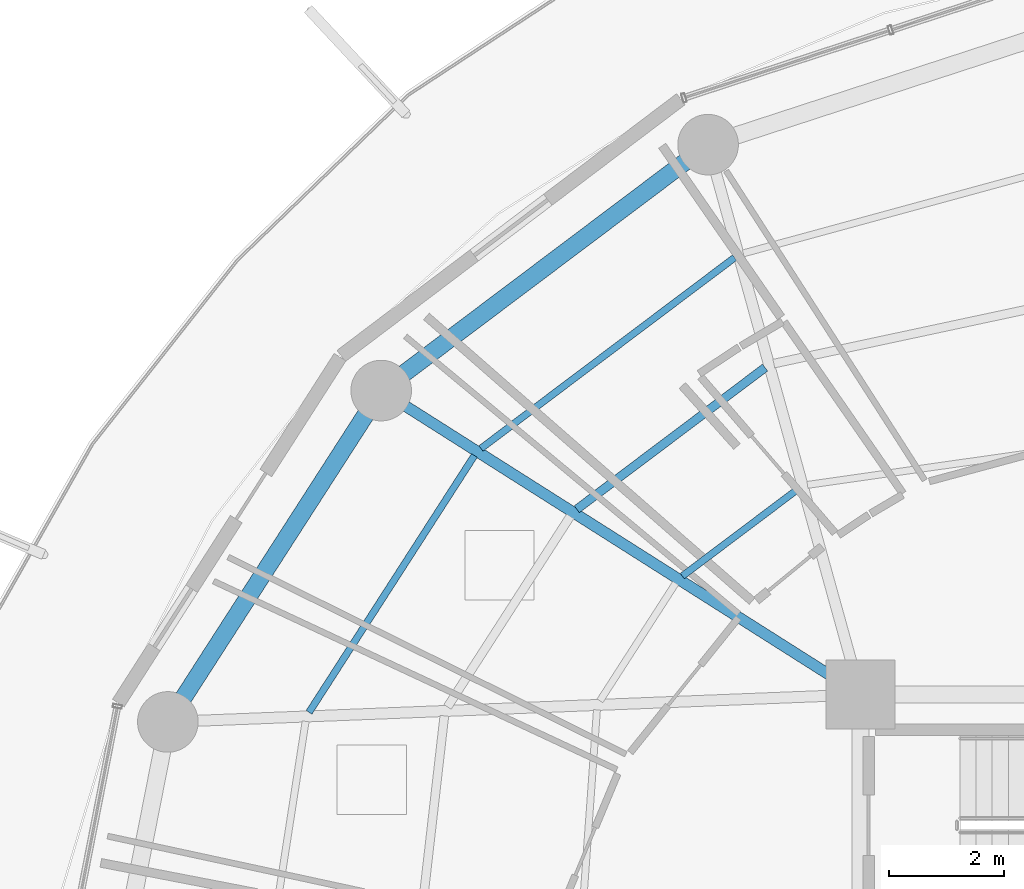
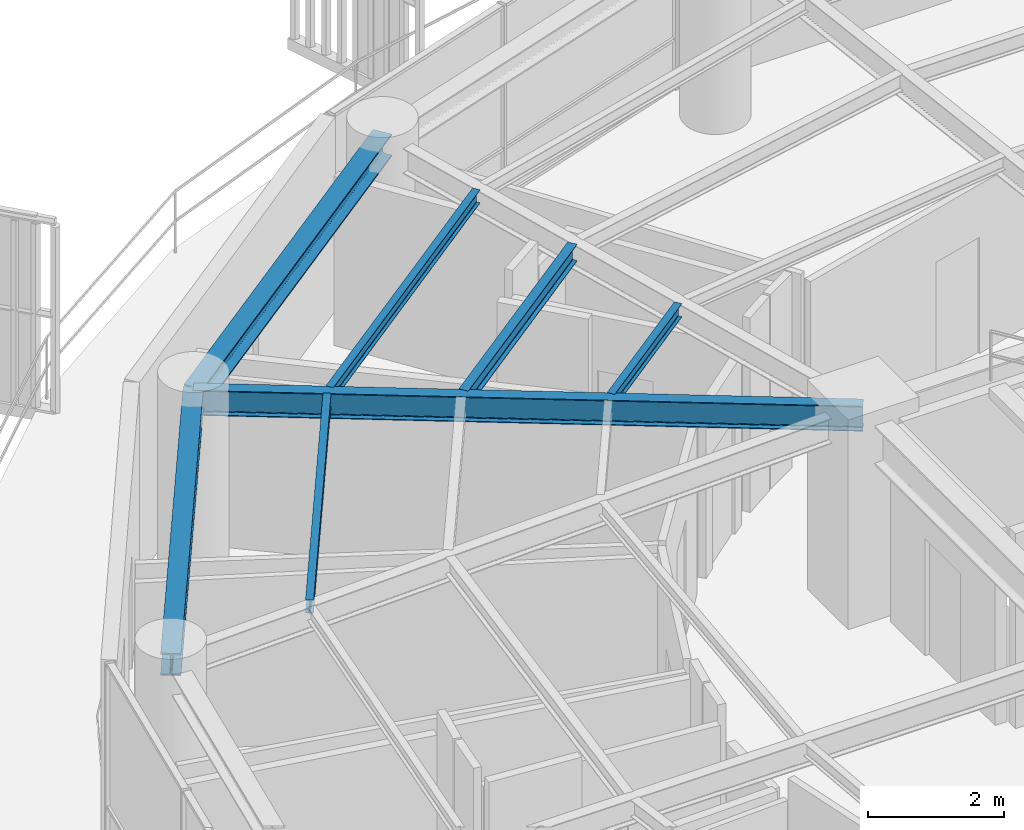
# One storey, part 17 of 31: 7 beams.
"""IFC4 building model written with IfcOpenShell, lengths in metres."""

from ifc_helpers import new_model, si_unit, direction, frame, origin, origin_2d, place, context, subcontext, project, spatial, i_section, extrude, material, material_profile, profile_set, type_object, element, save


model = new_model("IFC4")

# Units and contexts
model_context = context("Model", 3, precision=1e-05, world=origin(), true_north=direction((0.0, 1.0)))
body_context = subcontext(model_context, "Body", "Model", "MODEL_VIEW")
ifc_project = project(units=[si_unit("LENGTHUNIT", "METRE"), si_unit("AREAUNIT", "SQUARE_METRE"), si_unit("VOLUMEUNIT", "CUBIC_METRE"), si_unit("PLANEANGLEUNIT", "RADIAN"), si_unit("MASSUNIT", "GRAM", prefix="KILO")], contexts=[model_context])

# Site, building, storey
site_placement = place(None, origin())
site = spatial("IfcSite", under=ifc_project, at=site_placement, CompositionType="ELEMENT")
building_placement = place(site_placement, origin())
building = spatial("IfcBuilding", under=site, at=building_placement, Name="Kelanora Arch Commons", CompositionType="ELEMENT")
storey_placement = place(building_placement, frame((0.0, 0.0, 200.699951171875)))
storey = spatial("IfcBuildingStorey", under=building, at=storey_placement, Name="L51", CompositionType="ELEMENT", Elevation=200.699951171875)

# Beams
ifc_material = material(Name="Steel S355", Category="steel")
ifc_material_profile_1 = material_profile(ifc_material, i_section(OverallWidth=0.14990234375, OverallDepth=0.300048828125, WebThickness=0.007080078125, FlangeThickness=0.0107421875, FilletRadius=0.014892578125, at=origin_2d()), Name="IPE300")
ifc_profile_set_1 = profile_set([ifc_material_profile_1], Name="Steel S355")
beam_type_1 = type_object("IfcBeamType", Name="BM-JST-01", PredefinedType="JOIST", material=ifc_profile_set_1)
beam_1_placement = place(storey_placement, frame((64.34814453125, 70.6630859375, 3.340087890625), z_axis=(-0.799101708656, -0.601195857624, 0.0), x_axis=(0.601195857624, -0.799101708656, 0.0)))
element("IfcBeam", 1, at=beam_1_placement, inside=storey, type_object=beam_type_1, Name="Secondary Chord Joist BJB-12 L51", PredefinedType="JOIST", context=body_context, shape_type="SweptSolid", body=[
    extrude(i_section(OverallWidth=0.14990234375, OverallDepth=0.300048828125, WebThickness=0.007080078125, FlangeThickness=0.0107421875, FilletRadius=0.014892578125, at=origin_2d()), origin(), (0.0, 0.0, 1.0), 4.080810546875),
])
ifc_material_profile_2 = material_profile(ifc_material, i_section(OverallWidth=0.1201171875, OverallDepth=0.239990234375, WebThickness=0.006103515625, FlangeThickness=0.009765625, FilletRadius=0.014892578125, at=origin_2d()), Name="IPE240")
ifc_profile_set_2 = profile_set([ifc_material_profile_2], Name="Steel S355")
beam_type_2 = type_object("IfcBeamType", Name="BM-JST-02", PredefinedType="JOIST", material=ifc_profile_set_2)
beam_2_placement = place(storey_placement, frame((64.928955078125, 68.56787109375, 3.3701171875), z_axis=(-0.79911638933, -0.601176343766, 0.0), x_axis=(0.601176343766, -0.79911638933, 0.0)))
element("IfcBeam", 2, at=beam_2_placement, inside=storey, type_object=beam_type_2, Name="Secondary Chord Joist BJA-12 L51", PredefinedType="JOIST", context=body_context, shape_type="SweptSolid", body=[
    extrude(i_section(OverallWidth=0.1201171875, OverallDepth=0.239990234375, WebThickness=0.006103515625, FlangeThickness=0.009765625, FilletRadius=0.014892578125, at=origin_2d()), origin(), (0.0, 0.0, 1.0), 2.522216796875),
])
beam_3_placement = place(storey_placement, frame((63.820068359375, 72.56787109375, 3.3701171875), z_axis=(-0.799109197935, -0.601185902842, 0.0), x_axis=(0.601185902842, -0.799109197935, 0.0)))
element("IfcBeam", 3, at=beam_3_placement, inside=storey, type_object=beam_type_2, Name="Secondary Chord Joist BJC-12 L51", PredefinedType="JOIST", context=body_context, shape_type="SweptSolid", body=[
    extrude(i_section(OverallWidth=0.1201171875, OverallDepth=0.239990234375, WebThickness=0.006103515625, FlangeThickness=0.009765625, FilletRadius=0.014892578125, at=origin_2d()), origin(), (0.0, 0.0, 1.0), 5.497802734375),
])
beam_4_placement = place(storey_placement, frame((59.31298828125, 69.14013671875, 3.3701171875), z_axis=(-0.541382492679, -0.840776424872, 0.0), x_axis=(0.840776424872, -0.541382492679, 0.0)))
element("IfcBeam", 4, at=beam_4_placement, inside=storey, type_object=beam_type_2, Name="Secondary Chord Joist BJC-14 L51", PredefinedType="JOIST", context=body_context, shape_type="SweptSolid", body=[
    extrude(i_section(OverallWidth=0.1201171875, OverallDepth=0.239990234375, WebThickness=0.006103515625, FlangeThickness=0.009765625, FilletRadius=0.014892578125, at=origin_2d()), origin(), (0.0, 0.0, 1.0), 5.29052734375),
])
ifc_material_profile_3 = material_profile(ifc_material, i_section(OverallWidth=0.18994140625, OverallDepth=0.449951171875, WebThickness=0.009521484375, FlangeThickness=0.0146484375, FilletRadius=0.02099609375, at=origin_2d()), Name="IPE450")
ifc_profile_set_3 = profile_set([ifc_material_profile_3], Name="Steel S355")
beam_type_3 = type_object("IfcBeamType", Name="BM-RAD-Z4", PredefinedType="BEAM", material=ifc_profile_set_3)
beam_5_placement = place(storey_placement, frame((66.0, 65.0, 3.26513671875), z_axis=(-0.844507208607, 0.535544185489, 0.0), x_axis=(-0.535544185489, -0.844507208607, 0.0)))
element("IfcBeam", 5, at=beam_5_placement, inside=storey, type_object=beam_type_3, Name="Radial Floor Girder BR-14 L51", PredefinedType="BEAM", context=body_context, shape_type="SweptSolid", body=[
    extrude(i_section(OverallWidth=0.18994140625, OverallDepth=0.449951171875, WebThickness=0.009521484375, FlangeThickness=0.0146484375, FilletRadius=0.02099609375, at=origin_2d()), origin(), (0.0, 0.0, 1.0), 9.830078125),
])
ifc_material_profile_4 = material_profile(ifc_material, i_section(OverallWidth=0.300048828125, OverallDepth=0.39990234375, WebThickness=0.013427734375, FlangeThickness=0.02392578125, FilletRadius=0.027099609375, at=origin_2d()), Name="HEB400")
ifc_profile_set_4 = profile_set([ifc_material_profile_4], Name="Steel S355")
beam_type_4 = type_object("IfcBeamType", Name="BM-SPN-Z4", PredefinedType="SPANDREL", material=ifc_profile_set_4)
beam_6_placement = place(storey_placement, frame((63.360107421875, 74.523681640625, 3.2900390625), z_axis=(-0.799114211715, -0.60117923836, 0.0), x_axis=(0.60117923836, -0.799114211715, 0.0)))
element("IfcBeam", 6, at=beam_6_placement, inside=storey, type_object=beam_type_4, Name="Perimeter Spandrel Beam BS-12 L51", PredefinedType="SPANDREL", context=body_context, shape_type="SweptSolid", body=[
    extrude(i_section(OverallWidth=0.300048828125, OverallDepth=0.39990234375, WebThickness=0.013427734375, FlangeThickness=0.02392578125, FilletRadius=0.027099609375, at=origin_2d()), origin(), (0.0, 0.0, 1.0), 7.0849609375),
])
beam_7_placement = place(storey_placement, frame((57.698486328125, 70.264404296875, 3.2900390625), z_axis=(-0.541364878868, -0.840787766281, 0.0), x_axis=(0.840787766281, -0.541364878868, 0.0)))
element("IfcBeam", 7, at=beam_7_placement, inside=storey, type_object=beam_type_4, Name="Perimeter Spandrel Beam BS-14 L51", PredefinedType="SPANDREL", context=body_context, shape_type="SweptSolid", body=[
    extrude(i_section(OverallWidth=0.300048828125, OverallDepth=0.39990234375, WebThickness=0.013427734375, FlangeThickness=0.02392578125, FilletRadius=0.027099609375, at=origin_2d()), origin(), (0.0, 0.0, 1.0), 6.825439453125),
])

save(model, "model.ifc")
